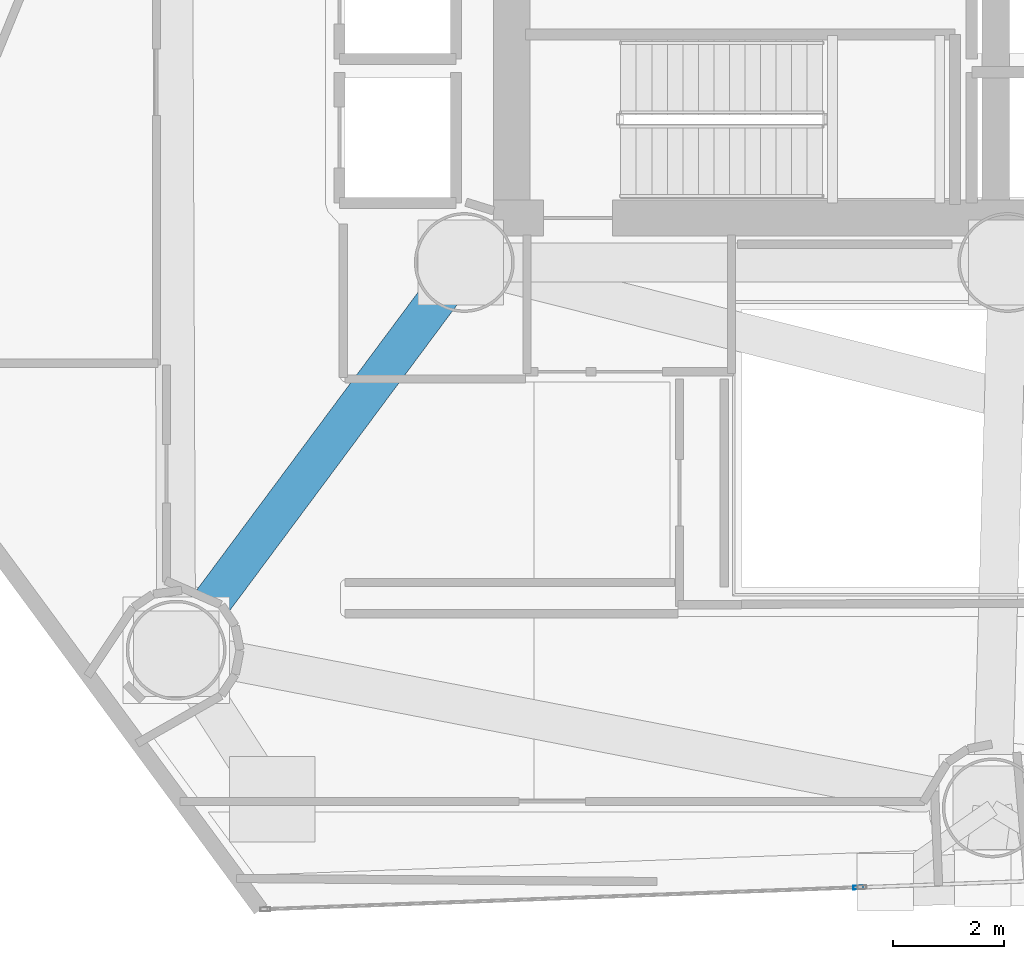
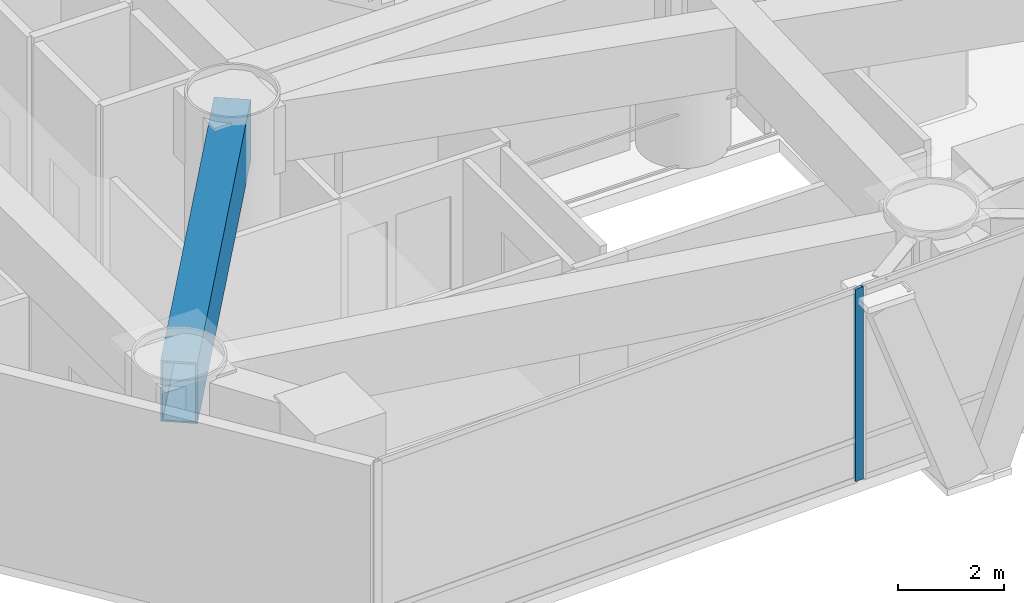
# One storey, part 4 of 22: 1 beam, 1 member, 1 element without a shape of its own.
"""IFC4 building model written with IfcOpenShell, lengths in metres."""

import ifcopenshell
import ifcopenshell.guid

model = None  # the IFC model being written
_history = None  # IfcOwnerHistory: only IFC2X3 demands one
_inside = {}  # id of a spatial element -> (the spatial element, [elements in it])
_under = {}  # id of a project, library or spatial element -> (it, [spatial elements below it])
_declared = {}  # id of a project -> (the project, [libraries it declares])
_typed = {}  # id of a type object -> (the type object, [elements of that type])
_made_of = {}  # id of a material, layer set ... -> (it, [elements and type objects made of it])


def new_model(schema):
    """Start an empty IFC model of exactly this schema.

    Asked for "IFC4X3", IfcOpenShell would pick the latest addendum, in which some entities
    have other attributes; the version numbers below select the first issue.
    IFC2X3 requires an IfcOwnerHistory on every rooted entity: one is made here for all.
    """
    global model, _history
    if schema == "IFC4X3":
        model = ifcopenshell.file(schema_version=(4, 3, 0, 0))
    else:
        model = ifcopenshell.file(schema=schema)
    _inside.clear()
    _under.clear()
    _declared.clear()
    _typed.clear()
    _made_of.clear()
    _history = None
    if model.schema == "IFC2X3":
        org = make("IfcOrganization", Name="unknown")
        user = make(
            "IfcPersonAndOrganization",
            ThePerson=make("IfcPerson", FamilyName="unknown"),
            TheOrganization=org,
        )
        app = make(
            "IfcApplication",
            ApplicationDeveloper=org,
            Version="unknown",
            ApplicationFullName="unknown",
            ApplicationIdentifier="unknown",
        )
        _history = make(
            "IfcOwnerHistory",
            OwningUser=user,
            OwningApplication=app,
            ChangeAction="ADDED",
            CreationDate=0,
        )
    return model


def make(cls, **values):
    """One entity of the class cls with the attributes given. An attribute that is None is left unset."""
    return model.create_entity(
        cls, **{name: value for name, value in values.items() if value is not None}
    )


def rooted(cls, **values):
    """An entity with a GlobalId (a new one), such as an element, a storey or a relation."""
    return make(cls, GlobalId=ifcopenshell.guid.new(), OwnerHistory=_history, **values)


def si_unit(unit_type, name, prefix=None):
    """IfcSIUnit, for example si_unit("LENGTHUNIT", "METRE", prefix="MILLI")."""
    return make("IfcSIUnit", UnitType=unit_type, Prefix=prefix, Name=name)


def assignment(units):
    """IfcUnitAssignment: the units of a project."""
    return None if units is None else make("IfcUnitAssignment", Units=units)


def point(xyz):
    """IfcCartesianPoint."""
    return None if xyz is None else make("IfcCartesianPoint", Coordinates=xyz)


def direction(xyz):
    """IfcDirection."""
    return None if xyz is None else make("IfcDirection", DirectionRatios=xyz)


def frame(location, z_axis=None, x_axis=None):
    """IfcAxis2Placement3D, a coordinate frame: its origin and axes. An axis left out is left unset."""
    return make(
        "IfcAxis2Placement3D",
        Location=point(location),
        Axis=direction(z_axis),
        RefDirection=direction(x_axis),
    )


def frame_2d(location, x_axis=None):
    """IfcAxis2Placement2D, a coordinate frame in the plane: its origin and x axis."""
    return make(
        "IfcAxis2Placement2D", Location=point(location), RefDirection=direction(x_axis)
    )


def origin():
    """The frame at (0, 0, 0) with its axes left unset."""
    return frame((0.0, 0.0, 0.0))


def origin_2d():
    """The frame at (0, 0) in the plane with its x axis left unset."""
    return frame_2d((0.0, 0.0))


def place(relative_to, where):
    """IfcLocalPlacement: puts the frame where relative to a parent placement (None: the world)."""
    return make(
        "IfcLocalPlacement", PlacementRelTo=relative_to, RelativePlacement=where
    )


def context(
    kind, dimensions, precision=None, world=None, true_north=None, identifier=None
):
    """IfcGeometricRepresentationContext, for example the 3D "Model" context."""
    return make(
        "IfcGeometricRepresentationContext",
        ContextIdentifier=identifier,
        ContextType=kind,
        CoordinateSpaceDimension=dimensions,
        Precision=precision,
        WorldCoordinateSystem=world,
        TrueNorth=true_north,
    )


def subcontext(parent, identifier, kind, view, scale=None):
    """IfcGeometricRepresentationSubContext, for example "Body" below "Model"."""
    return make(
        "IfcGeometricRepresentationSubContext",
        ContextIdentifier=identifier,
        ContextType=kind,
        ParentContext=parent,
        TargetScale=scale,
        TargetView=view,
    )


def project(units=None, contexts=None):
    """IfcProject with its units and contexts."""
    return rooted(
        "IfcProject",
        Name="project",
        RepresentationContexts=contexts,
        UnitsInContext=assignment(units),
    )


def spatial(cls, under=None, at=None, **own):
    """A site, building, storey or space (cls), placed at a placement, below another one or the project."""
    s = rooted(cls, ObjectPlacement=at, **own)
    if under is not None:
        _under.setdefault(under.id(), (under, []))[1].append(s)
    return s


def profile(cls, at=None, kind="AREA", **sizes):
    """A parametric profile (cls). Its sizes go by their IFC names, for example OverallWidth=200.0."""
    return make(cls, ProfileType=kind, Position=at, **sizes)


def hollow_rectangle(**sizes):
    """IfcRectangleHollowProfileDef."""
    return profile("IfcRectangleHollowProfileDef", **sizes)


def extrude(swept, where, along, depth):
    """IfcExtrudedAreaSolid: the profile swept, set in the frame where, extruded along a direction by depth."""
    return make(
        "IfcExtrudedAreaSolid",
        SweptArea=swept,
        Position=where,
        ExtrudedDirection=direction(along),
        Depth=depth,
    )


def shape(context_of_items, identifier, shape_type, items):
    """IfcShapeRepresentation: the items that make up one representation, for example the "Body"."""
    return make(
        "IfcShapeRepresentation",
        ContextOfItems=context_of_items,
        RepresentationIdentifier=identifier,
        RepresentationType=shape_type,
        Items=items,
    )


def material(Name=None, Category=None):
    """IfcMaterial."""
    return make("IfcMaterial", Name=Name, Category=Category)


def layer(
    of_material, thickness, ventilated=None, Name=None, Category=None, Priority=None
):
    """IfcMaterialLayer: one layer of a wall or slab, of a material (None: an air gap)."""
    return make(
        "IfcMaterialLayer",
        Material=of_material,
        LayerThickness=thickness,
        IsVentilated=ventilated,
        Name=Name,
        Category=Category,
        Priority=Priority,
    )


def layer_set(layers, Name=None):
    """IfcMaterialLayerSet."""
    return make("IfcMaterialLayerSet", MaterialLayers=layers, LayerSetName=Name)


def material_profile(
    of_material, cross_section, Name=None, Category=None, Priority=None
):
    """IfcMaterialProfile: a cross section and its material."""
    return make(
        "IfcMaterialProfile",
        Name=Name,
        Material=of_material,
        Profile=cross_section,
        Priority=Priority,
        Category=Category,
    )


def profile_set(profiles, Name=None, composite=None):
    """IfcMaterialProfileSet."""
    return make(
        "IfcMaterialProfileSet",
        Name=Name,
        MaterialProfiles=profiles,
        CompositeProfile=composite,
    )


def made_of(thing, what):
    """Note that an element or type object is made of a material, layer set ...; save() writes the relation."""
    if what is not None:
        _made_of.setdefault(what.id(), (what, []))[1].append(thing)
    return thing


def type_object(cls, material=None, **own):
    """A type object (cls), such as IfcWallType, which elements share."""
    return made_of(rooted(cls, **own), material)


def element(
    cls,
    number,
    at=None,
    inside=None,
    cuts=None,
    type_object=None,
    material=None,
    context=None,
    identifier="Body",
    shape_type=None,
    held_by="IfcProductDefinitionShape",
    body=None,
    shapes=None,
    **own,
):
    """One element of the class cls, such as IfcWall. Its Tag is "e" and its number.

    at: its placement. inside: the storey or other place that contains it. cuts: it is an
    opening in that element (IfcRelVoidsElement). A single representation is given by context,
    identifier, shape_type and body (its items); several are given by shapes. held_by: the class
    of the entity that holds the representations. save() writes the other relations.
    """
    e = rooted(cls, Tag="e%d" % number, ObjectPlacement=at, **own)
    if body is not None:
        shapes = [shape(context, identifier, shape_type, body)]
    if shapes is not None:
        e.Representation = make(held_by, Representations=shapes)
    if inside is not None:
        _inside.setdefault(inside.id(), (inside, []))[1].append(e)
    if cuts is not None:
        rooted(
            "IfcRelVoidsElement", RelatingBuildingElement=cuts, RelatedOpeningElement=e
        )
    if type_object is not None:
        _typed.setdefault(type_object.id(), (type_object, []))[1].append(e)
    return made_of(e, material)


def aggregate(whole, parts):
    """IfcRelAggregates: a whole, such as a stair, and the parts it consists of."""
    return rooted("IfcRelAggregates", RelatingObject=whole, RelatedObjects=parts)


def save(model, path):
    """Write the relations noted so far, then the file.

    IfcRelAggregates (storeys below a building ...), IfcRelContainedInSpatialStructure (elements
    in a storey), IfcRelDefinesByType, IfcRelAssociatesMaterial and IfcRelDeclares: one each for
    every whole, place, type object, material and project.
    """
    for whole, parts in _under.values():
        aggregate(whole, parts)
    for where, things in _inside.values():
        rooted(
            "IfcRelContainedInSpatialStructure",
            RelatedElements=things,
            RelatingStructure=where,
        )
    for kind, things in _typed.values():
        rooted("IfcRelDefinesByType", RelatedObjects=things, RelatingType=kind)
    for what, things in _made_of.values():
        rooted("IfcRelAssociatesMaterial", RelatedObjects=things, RelatingMaterial=what)
    for by, libraries in _declared.values():
        rooted("IfcRelDeclares", RelatingContext=by, RelatedDefinitions=libraries)
    model.write(path)


model = new_model("IFC4")

# Units and contexts
model_context = context("Model", 3, precision=1e-05, world=origin(), true_north=direction((0.0, 1.0)))
body_context = subcontext(model_context, "Body", "Model", "MODEL_VIEW")
ifc_project = project(units=[si_unit("LENGTHUNIT", "METRE"), si_unit("AREAUNIT", "SQUARE_METRE"), si_unit("VOLUMEUNIT", "CUBIC_METRE"), si_unit("PLANEANGLEUNIT", "RADIAN"), si_unit("MASSUNIT", "GRAM", prefix="KILO")], contexts=[model_context])

# Site, building, storey
site_placement = place(None, origin())
site = spatial("IfcSite", under=ifc_project, at=site_placement, CompositionType="ELEMENT")
building_placement = place(site_placement, origin())
building = spatial("IfcBuilding", under=site, at=building_placement, Name="Qianvela Tower", CompositionType="ELEMENT")
storey_placement = place(building_placement, frame((0.0, 0.0, 47.89990234375)))
storey = spatial("IfcBuildingStorey", under=building, at=storey_placement, Name="L11", CompositionType="ELEMENT", Elevation=47.89990234375)

# Beam
ifc_material_1 = material(Name="Steel Q420GJC", Category="steel")
ifc_material_profile_1 = material_profile(ifc_material_1, hollow_rectangle(XDim=0.699951171875, YDim=1.39990234375, WallThickness=0.0400390625, at=origin_2d()), Name="TG-BOX-1400x700x40")
ifc_profile_set_1 = profile_set([ifc_material_profile_1], Name="Steel Q420GJC")
beam_type = type_object("IfcBeamType", Name="BM-TG-RAD-1400", PredefinedType="BEAM", material=ifc_profile_set_1)
beam_placement = place(storey_placement, frame((28.60009765625, 23.85009765625, 3.718017578125), z_axis=(-0.596581498031, -0.802552500593, 0.0), x_axis=(0.802552500593, -0.596581498031, 0.0)))
element("IfcBeam", 1, at=beam_placement, inside=storey, type_object=beam_type, Name="L11 Radial Outrigger Top Transfer Girder 5", PredefinedType="BEAM", context=body_context, shape_type="SweptSolid", body=[
    extrude(hollow_rectangle(XDim=0.699951171875, YDim=1.39990234375, WallThickness=0.0400390625, at=origin_2d()), origin(), (0.0, 0.0, 1.0), 8.709716796875),
])

# Curtain wall, member
ifc_material_2 = material(Name="Anodised Architectural Aluminium and Low-E Glass", Category="aluminium")
ifc_layer = layer(ifc_material_2, 0.179931640625)
ifc_layer_set = layer_set([ifc_layer], Name="Anodised Architectural Aluminium and Low-E Glass")
curtain_wall_type = type_object("IfcCurtainWallType", Name="CW-COLIV-Z12", PredefinedType="USERDEFINED", material=ifc_layer_set)
curtain_wall_placement = place(storey_placement, origin())
curtain_wall = element("IfcCurtainWall", 2, at=curtain_wall_placement, inside=storey, type_object=curtain_wall_type, Name="L11 CW-COLIV-Z12 Curtain Wall 06A", ObjectType="CURTAIN_WALL_SYSTEM", PredefinedType="USERDEFINED")
ifc_material_3 = material(Name="Anodised Architectural Aluminium 6063-T6", Category="aluminium")
ifc_material_profile_2 = material_profile(ifc_material_3, hollow_rectangle(XDim=0.070068359375, YDim=0.179931640625, WallThickness=0.0048828125, at=origin_2d()), Name="ALU-MULL-70x180")
ifc_profile_set_2 = profile_set([ifc_material_profile_2], Name="Anodised Architectural Aluminium 6063-T6")
member_type = type_object("IfcMemberType", Name="CW-COLIV-Z12-MULL", PredefinedType="MULLION", material=ifc_profile_set_2)
member_placement = place(storey_placement, frame((35.705078125, 12.581787109375, 0.0), z_axis=(0.0, 0.0, 1.0), x_axis=(-0.036871200483, 0.999320026105, 0.0)))
member = element("IfcMember", 3, at=member_placement, type_object=member_type, Name="CW-3 mullion 2", PredefinedType="MULLION", context=body_context, shape_type="SweptSolid", body=[
    extrude(hollow_rectangle(XDim=0.070068359375, YDim=0.179931640625, WallThickness=0.0048828125, at=origin_2d()), origin(), (0.0, 0.0, 1.0), 4.420166015625),
])
aggregate(curtain_wall, [member])

save(model, "model.ifc")
